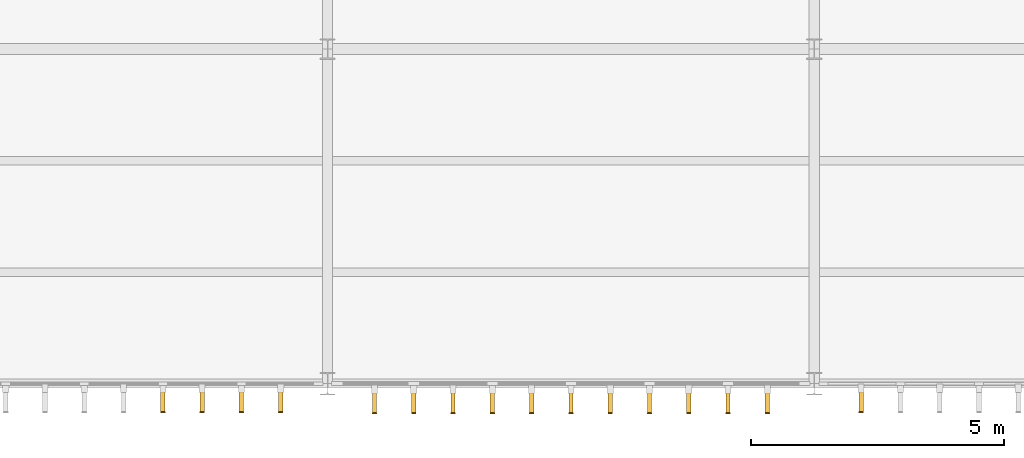
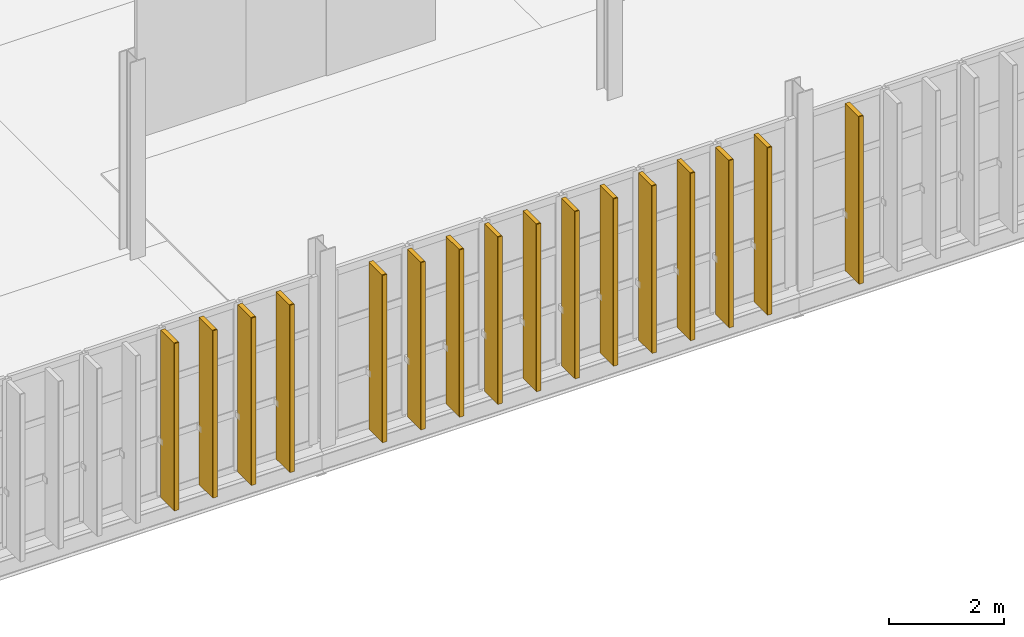
# One storey, part 28 of 38: 16 coverings, 16 shading devices.
"""IFC4 building model written with IfcOpenShell, lengths in metres."""

from ifc_helpers import new_model, si_unit, direction, frame, origin, origin_2d, place, context, subcontext, project, spatial, rectangle, extrude, material, layer, layer_set, type_object, element, save


model = new_model("IFC4")

# Units and contexts
model_context = context("Model", 3, precision=1e-05, world=origin(), true_north=direction((0.0, 1.0)))
body_context = subcontext(model_context, "Body", "Model", "MODEL_VIEW")
ifc_project = project(units=[si_unit("LENGTHUNIT", "METRE"), si_unit("AREAUNIT", "SQUARE_METRE"), si_unit("VOLUMEUNIT", "CUBIC_METRE"), si_unit("PLANEANGLEUNIT", "RADIAN"), si_unit("MASSUNIT", "GRAM", prefix="KILO")], contexts=[model_context])

# Site, building, storey
site_placement = place(None, origin())
site = spatial("IfcSite", under=ifc_project, at=site_placement, CompositionType="ELEMENT")
building_placement = place(site_placement, origin())
building = spatial("IfcBuilding", under=site, at=building_placement, Name="Zarnetskaya Central Station", CompositionType="ELEMENT")
storey_placement = place(building_placement, frame((0.0, 0.0, 18.60009765625)))
storey = spatial("IfcBuildingStorey", under=building, at=storey_placement, Name="L04", CompositionType="ELEMENT", Elevation=18.60009765625)

# Coverings
ifc_material_1 = material(Name="Treated larch timber", Category="wood")
ifc_layer = layer(ifc_material_1, 0.02001953125, Name="Treated larch timber", Category="wood")
ifc_layer_set = layer_set([ifc_layer], Name="Treated larch timber")
covering_type = type_object("IfcCoveringType", Name="COV-LARCH-CAP", PredefinedType="CLADDING", material=ifc_layer_set)
covering_placement = place(storey_placement, frame((29.72509765625, -0.56005859375, -0.000244140625), z_axis=(0.0, 0.0, 1.0), x_axis=(-1.0, 0.0, 0.0)))
element("IfcCovering", 1, at=covering_placement, inside=storey, type_object=covering_type, Name="Larch fin weather cap CW-L04-059-11", PredefinedType="CLADDING", context=body_context, shape_type="SweptSolid", body=[
    extrude(rectangle(XDim=0.090087890625, YDim=0.02001953125, at=origin_2d()), origin(), (0.0, 0.0, 1.0), 3.56005859375),
])
for number, where, z_axis, x_axis, name in (
    (2, (27.875, -0.580078125, -0.000244140625), (0.0, 0.0, 1.0), (-1.0, 0.0, 0.0), "Larch fin weather cap CW-L04-060-01"),
    (3, (27.10009765625, -0.580078125, -0.000244140625), (0.0, 0.0, 1.0), (-1.0, 0.0, 0.0), "Larch fin weather cap CW-L04-060-02"),
    (4, (26.324951171875, -0.580078125, -0.000244140625), (0.0, 0.0, 1.0), (-1.0, 0.0, 0.0), "Larch fin weather cap CW-L04-060-03"),
    (5, (25.550048828125, -0.580078125, -0.000244140625), (0.0, 0.0, 1.0), (-1.0, 0.0, 0.0), "Larch fin weather cap CW-L04-060-04"),
    (6, (24.77490234375, -0.580078125, -0.000244140625), (0.0, 0.0, 1.0), (-1.0, 0.0, 0.0), "Larch fin weather cap CW-L04-060-05"),
    (7, (24.0, -0.580078125, -0.000244140625), (0.0, 0.0, 1.0), (-1.0, 0.0, 0.0), "Larch fin weather cap CW-L04-060-06"),
    (8, (23.22509765625, -0.580078125, -0.000244140625), (0.0, 0.0, 1.0), (-1.0, 0.0, 0.0), "Larch fin weather cap CW-L04-060-07"),
    (9, (22.449951171875, -0.580078125, -0.000244140625), (0.0, 0.0, 1.0), (-1.0, 0.0, 0.0), "Larch fin weather cap CW-L04-060-08"),
    (10, (21.675048828125, -0.580078125, -0.000244140625), (0.0, 0.0, 1.0), (-1.0, 0.0, 0.0), "Larch fin weather cap CW-L04-060-09"),
    (11, (20.89990234375, -0.580078125, -0.000244140625), (0.0, 0.0, 1.0), (-1.0, 0.0, 0.0), "Larch fin weather cap CW-L04-060-10"),
    (12, (20.125, -0.580078125, -0.000244140625), (0.0, 0.0, 1.0), (-1.0, 0.0, 0.0), "Larch fin weather cap CW-L04-060-11"),
):
    element("IfcCovering", number, at=place(storey_placement, frame(where, z_axis=z_axis, x_axis=x_axis)), inside=storey, type_object=covering_type, Name=name, PredefinedType="CLADDING", context=body_context, shape_type="SweptSolid", body=[
        extrude(rectangle(XDim=0.0849609375, YDim=0.02001953125, at=origin_2d()), origin(), (0.0, 0.0, 1.0), 3.56005859375),
    ])
for number, where, z_axis, x_axis, name in (
    (13, (18.27490234375, -0.56005859375, -0.000244140625), (0.0, 0.0, 1.0), (-1.0, 0.0, 0.0), "Larch fin weather cap CW-L04-061-01"),
    (14, (17.5, -0.56005859375, -0.000244140625), (0.0, 0.0, 1.0), (-1.0, 0.0, 0.0), "Larch fin weather cap CW-L04-061-02"),
    (15, (16.72509765625, -0.56005859375, -0.000244140625), (0.0, 0.0, 1.0), (-1.0, 0.0, 0.0), "Larch fin weather cap CW-L04-061-03"),
    (16, (15.949951171875, -0.56005859375, -0.000244140625), (0.0, 0.0, 1.0), (-1.0, 0.0, 0.0), "Larch fin weather cap CW-L04-061-04"),
):
    element("IfcCovering", number, at=place(storey_placement, frame(where, z_axis=z_axis, x_axis=x_axis)), inside=storey, type_object=covering_type, Name=name, PredefinedType="CLADDING", context=body_context, shape_type="SweptSolid", body=[
        extrude(rectangle(XDim=0.090087890625, YDim=0.02001953125, at=origin_2d()), origin(), (0.0, 0.0, 1.0), 3.56005859375),
    ])

# Shading devices
ifc_material_2 = material(Name="Larch glulam GL28h", Category="wood")
shading_device_type_1 = type_object("IfcShadingDeviceType", Name="SHD-LARCH-FIN-A", PredefinedType="USERDEFINED", material=ifc_material_2)
for number, where, z_axis, x_axis, name in (
    (17, (29.72509765625, -0.320068359375, -0.000244140625), (0.0, 0.0, 1.0), (-1.0, 0.0, 0.0), "Vertical larch timber fin CW-L04-059-11"),
    (18, (18.27490234375, -0.320068359375, -0.000244140625), (0.0, 0.0, 1.0), (-1.0, 0.0, 0.0), "Vertical larch timber fin CW-L04-061-01"),
    (19, (17.5, -0.320068359375, -0.000244140625), (0.0, 0.0, 1.0), (-1.0, 0.0, 0.0), "Vertical larch timber fin CW-L04-061-02"),
    (20, (16.72509765625, -0.320068359375, -0.000244140625), (0.0, 0.0, 1.0), (-1.0, 0.0, 0.0), "Vertical larch timber fin CW-L04-061-03"),
    (21, (15.949951171875, -0.320068359375, -0.000244140625), (0.0, 0.0, 1.0), (-1.0, 0.0, 0.0), "Vertical larch timber fin CW-L04-061-04"),
):
    element("IfcShadingDevice", number, at=place(storey_placement, frame(where, z_axis=z_axis, x_axis=x_axis)), inside=storey, type_object=shading_device_type_1, Name=name, ObjectType="TIMBER FIN", PredefinedType="USERDEFINED", context=body_context, shape_type="SweptSolid", body=[
        extrude(rectangle(XDim=0.090087890625, YDim=0.4599609375, at=origin_2d()), origin(), (0.0, 0.0, 1.0), 3.56005859375),
    ])
shading_device_type_2 = type_object("IfcShadingDeviceType", Name="SHD-LARCH-FIN-B", PredefinedType="USERDEFINED", material=ifc_material_2)
for number, where, z_axis, x_axis, name in (
    (22, (27.875, -0.340087890625, -0.000244140625), (0.0, 0.0, 1.0), (-1.0, 0.0, 0.0), "Vertical larch timber fin CW-L04-060-01"),
    (23, (27.10009765625, -0.340087890625, -0.000244140625), (0.0, 0.0, 1.0), (-1.0, 0.0, 0.0), "Vertical larch timber fin CW-L04-060-02"),
    (24, (26.324951171875, -0.340087890625, -0.000244140625), (0.0, 0.0, 1.0), (-1.0, 0.0, 0.0), "Vertical larch timber fin CW-L04-060-03"),
    (25, (25.550048828125, -0.340087890625, -0.000244140625), (0.0, 0.0, 1.0), (-1.0, 0.0, 0.0), "Vertical larch timber fin CW-L04-060-04"),
    (26, (24.77490234375, -0.340087890625, -0.000244140625), (0.0, 0.0, 1.0), (-1.0, 0.0, 0.0), "Vertical larch timber fin CW-L04-060-05"),
    (27, (24.0, -0.340087890625, -0.000244140625), (0.0, 0.0, 1.0), (-1.0, 0.0, 0.0), "Vertical larch timber fin CW-L04-060-06"),
    (28, (23.22509765625, -0.340087890625, -0.000244140625), (0.0, 0.0, 1.0), (-1.0, 0.0, 0.0), "Vertical larch timber fin CW-L04-060-07"),
    (29, (22.449951171875, -0.340087890625, -0.000244140625), (0.0, 0.0, 1.0), (-1.0, 0.0, 0.0), "Vertical larch timber fin CW-L04-060-08"),
    (30, (21.675048828125, -0.340087890625, -0.000244140625), (0.0, 0.0, 1.0), (-1.0, 0.0, 0.0), "Vertical larch timber fin CW-L04-060-09"),
    (31, (20.89990234375, -0.340087890625, -0.000244140625), (0.0, 0.0, 1.0), (-1.0, 0.0, 0.0), "Vertical larch timber fin CW-L04-060-10"),
    (32, (20.125, -0.340087890625, -0.000244140625), (0.0, 0.0, 1.0), (-1.0, 0.0, 0.0), "Vertical larch timber fin CW-L04-060-11"),
):
    element("IfcShadingDevice", number, at=place(storey_placement, frame(where, z_axis=z_axis, x_axis=x_axis)), inside=storey, type_object=shading_device_type_2, Name=name, ObjectType="TIMBER FIN", PredefinedType="USERDEFINED", context=body_context, shape_type="SweptSolid", body=[
        extrude(rectangle(XDim=0.0849609375, YDim=0.4599609375, at=origin_2d()), origin(), (0.0, 0.0, 1.0), 3.56005859375),
    ])

save(model, "model.ifc")
